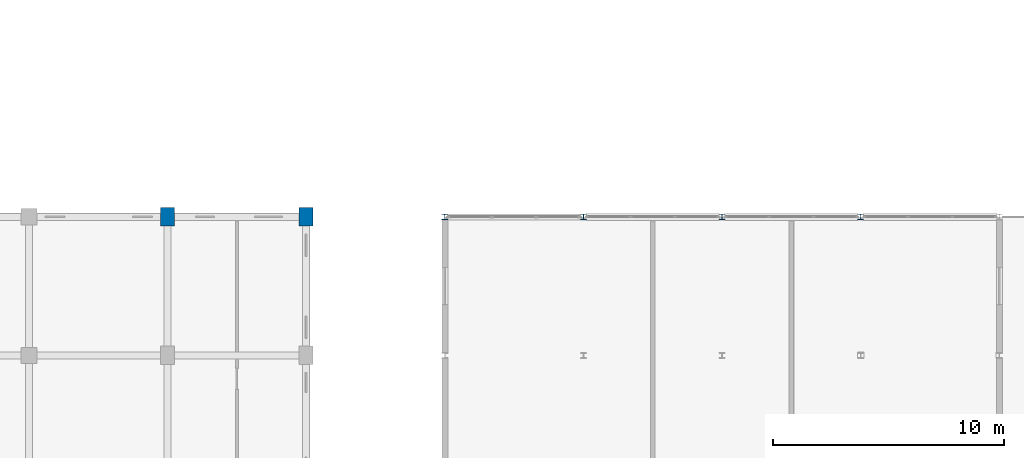
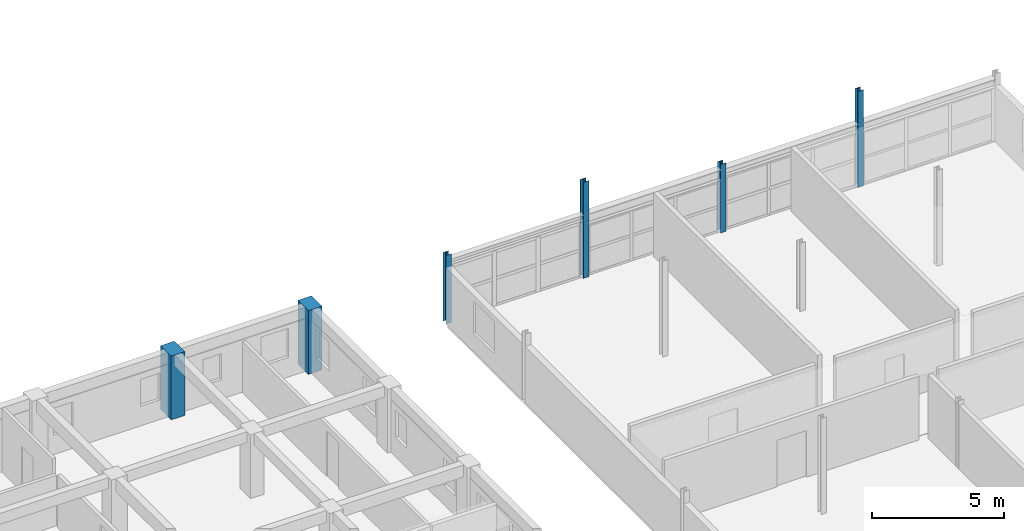
# One storey, part 12 of 137: 6 columns.
"""IFC4 building model written with IfcOpenShell, lengths in metres."""

from ifc_helpers import new_model, si_unit, direction, frame, origin, origin_2d, place, context, subcontext, project, spatial, rectangle, i_section, extrude, material, material_profile, profile_set, type_object, element, save


model = new_model("IFC4")

# Units and contexts
model_context = context("Model", 3, precision=1e-05, world=origin(), true_north=direction((0.0, 1.0)))
body_context = subcontext(model_context, "Body", "Model", "MODEL_VIEW")
ifc_project = project(units=[si_unit("LENGTHUNIT", "METRE"), si_unit("AREAUNIT", "SQUARE_METRE"), si_unit("VOLUMEUNIT", "CUBIC_METRE"), si_unit("PLANEANGLEUNIT", "RADIAN"), si_unit("MASSUNIT", "GRAM", prefix="KILO"), si_unit("POWERUNIT", "WATT"), si_unit("THERMODYNAMICTEMPERATUREUNIT", "KELVIN")], contexts=[model_context])

# Site, building, storey
site_placement = place(None, origin())
site = spatial("IfcSite", under=ifc_project, at=site_placement, CompositionType="ELEMENT")
building_placement = place(site_placement, origin())
building = spatial("IfcBuilding", under=site, at=building_placement, Name="Ruvembo Vaulted Housing Court", CompositionType="ELEMENT")
storey_placement = place(building_placement, frame((0.0, 0.0, 4.5)))
storey = spatial("IfcBuildingStorey", under=building, at=storey_placement, Name="L01", CompositionType="ELEMENT", Elevation=4.5)

# Columns
ifc_material_1 = material(Name="Concrete C40/50", Category="concrete")
ifc_material_profile_1 = material_profile(ifc_material_1, rectangle(XDim=0.60009765625, YDim=0.800048828125, at=origin_2d()), Name="RC 600x800")
ifc_profile_set_1 = profile_set([ifc_material_profile_1], Name="Concrete C40/50")
column_type_1 = type_object("IfcColumnType", Name="COL-RC-600x800", PredefinedType="COLUMN", material=ifc_profile_set_1)
for number, where, z_axis, x_axis, name in (
    (1, (132.0, 36.0, 0.0), (0.0, 0.0, 1.0), (1.0, 0.0, 0.0), "L01 Column (132,36)"),
    (2, (138.0, 36.0, 0.0), (0.0, 0.0, 1.0), (1.0, 0.0, 0.0), "L01 Column (138,36)"),
):
    element("IfcColumn", number, at=place(storey_placement, frame(where, z_axis=z_axis, x_axis=x_axis)), inside=storey, type_object=column_type_1, Name=name, PredefinedType="COLUMN", context=body_context, shape_type="SweptSolid", body=[
        extrude(rectangle(XDim=0.60009765625, YDim=0.800048828125, at=origin_2d()), origin(), (0.0, 0.0, 1.0), 2.945068359375),
    ])
ifc_material_2 = material(Name="Steel S355J2", Category="steel")
ifc_material_profile_2 = material_profile(ifc_material_2, i_section(OverallWidth=0.239990234375, OverallDepth=0.239990234375, WebThickness=0.010009765625, FlangeThickness=0.01708984375, FilletRadius=0.02099609375, at=origin_2d()), Name="HEB 240")
ifc_profile_set_2 = profile_set([ifc_material_profile_2], Name="Steel S355J2")
column_type_2 = type_object("IfcColumnType", Name="COL-ST-HEB240", PredefinedType="COLUMN", material=ifc_profile_set_2)
column_1_placement = place(storey_placement, frame((144.0, 36.0, 0.0), z_axis=(0.0, 0.0, 1.0), x_axis=(1.0, 0.0, 0.0)))
element("IfcColumn", 3, at=column_1_placement, inside=storey, type_object=column_type_2, Name="L01 Column (144,36)", PredefinedType="COLUMN", context=body_context, shape_type="SweptSolid", body=[
    extrude(i_section(OverallWidth=0.239990234375, OverallDepth=0.239990234375, WebThickness=0.010009765625, FlangeThickness=0.01708984375, FilletRadius=0.02099609375, at=origin_2d()), origin(), (0.0, 0.0, 1.0), 3.159912109375),
])
column_2_placement = place(storey_placement, frame((150.0, 36.0, 0.0), z_axis=(0.0, 0.0, 1.0), x_axis=(1.0, 0.0, 0.0)))
element("IfcColumn", 4, at=column_2_placement, inside=storey, type_object=column_type_2, Name="L01 Column (150,36)", PredefinedType="COLUMN", context=body_context, shape_type="SweptSolid", body=[
    extrude(i_section(OverallWidth=0.239990234375, OverallDepth=0.239990234375, WebThickness=0.010009765625, FlangeThickness=0.01708984375, FilletRadius=0.02099609375, at=origin_2d()), origin(), (0.0, 0.0, 1.0), 4.435302734375),
])
column_3_placement = place(storey_placement, frame((156.0, 36.0, 0.0), z_axis=(0.0, 0.0, 1.0), x_axis=(1.0, 0.0, 0.0)))
element("IfcColumn", 5, at=column_3_placement, inside=storey, type_object=column_type_2, Name="L01 Column (156,36)", PredefinedType="COLUMN", context=body_context, shape_type="SweptSolid", body=[
    extrude(i_section(OverallWidth=0.239990234375, OverallDepth=0.239990234375, WebThickness=0.010009765625, FlangeThickness=0.01708984375, FilletRadius=0.02099609375, at=origin_2d()), origin(), (0.0, 0.0, 1.0), 3.159912109375),
])
column_4_placement = place(storey_placement, frame((162.0, 36.0, 0.0), z_axis=(0.0, 0.0, 1.0), x_axis=(1.0, 0.0, 0.0)))
element("IfcColumn", 6, at=column_4_placement, inside=storey, type_object=column_type_2, Name="L01 Column (162,36)", PredefinedType="COLUMN", context=body_context, shape_type="SweptSolid", body=[
    extrude(i_section(OverallWidth=0.239990234375, OverallDepth=0.239990234375, WebThickness=0.010009765625, FlangeThickness=0.01708984375, FilletRadius=0.02099609375, at=origin_2d()), origin(), (0.0, 0.0, 1.0), 4.435302734375),
])

save(model, "model.ifc")
